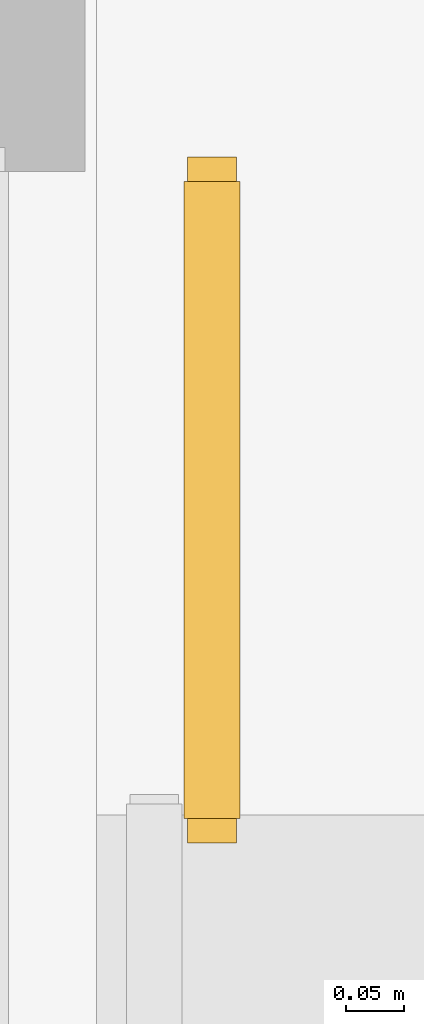
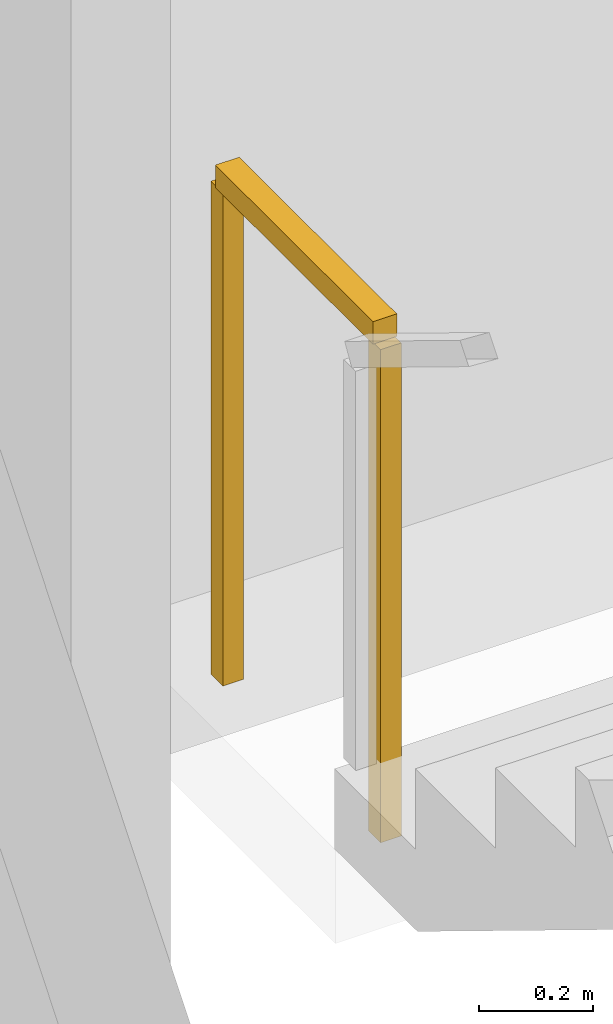
# One storey, part 28 of 31: 1 railing.
"""IFC4 building model written with IfcOpenShell, lengths in metres."""

from ifc_helpers import new_model, si_unit, direction, frame, origin, origin_2d, place, context, subcontext, project, spatial, rectangle, extrude, material, type_object, element, save


model = new_model("IFC4")

# Units and contexts
model_context = context("Model", 3, precision=1e-05, world=origin(), true_north=direction((0.0, 1.0)))
body_context = subcontext(model_context, "Body", "Model", "MODEL_VIEW")
ifc_project = project(units=[si_unit("LENGTHUNIT", "METRE"), si_unit("AREAUNIT", "SQUARE_METRE"), si_unit("VOLUMEUNIT", "CUBIC_METRE"), si_unit("PLANEANGLEUNIT", "RADIAN"), si_unit("MASSUNIT", "GRAM", prefix="KILO")], contexts=[model_context])

# Site, building, storey
site_placement = place(None, origin())
site = spatial("IfcSite", under=ifc_project, at=site_placement, CompositionType="ELEMENT")
building_placement = place(site_placement, origin())
building = spatial("IfcBuilding", under=site, at=building_placement, Name="Chenar Terraces", CompositionType="ELEMENT")
storey_placement = place(building_placement, frame((0.0, 0.0, 12.0)))
storey = spatial("IfcBuildingStorey", under=building, at=storey_placement, Name="L02", CompositionType="ELEMENT", Elevation=12.0)

# Railing
ifc_material = material(Name="Powder-coated steel", Category="steel")
railing_type = type_object("IfcRailingType", Name="Stair guard 1100", PredefinedType="GUARDRAIL", material=ifc_material)
railing_placement = place(storey_placement, frame((36.925048828125, 20.840087890625, 2.39990234375)))
element("IfcRailing", 1, at=railing_placement, inside=storey, type_object=railing_type, Name="L02 PS1 stair guard 201", PredefinedType="GUARDRAIL", context=body_context, shape_type="SweptSolid", body=[
    extrude(rectangle(XDim=0.048095703125, YDim=0.048095703125, at=origin_2d()), frame((0.0, 0.0, 1.076171875), z_axis=(0.0, 1.0, 0.0), x_axis=(-1.0, 0.0, 0.0)), (0.0, 0.0, 1.0), 0.55126953125),
    extrude(rectangle(XDim=0.0419921875, YDim=0.0419921875, at=origin_2d()), origin(), (0.0, 0.0, 1.0), 1.052001953125),
    extrude(rectangle(XDim=0.0419921875, YDim=0.0419921875, at=origin_2d()), frame((0.0, 0.55126953125, 0.0)), (0.0, 0.0, 1.0), 1.052001953125),
])

save(model, "model.ifc")
